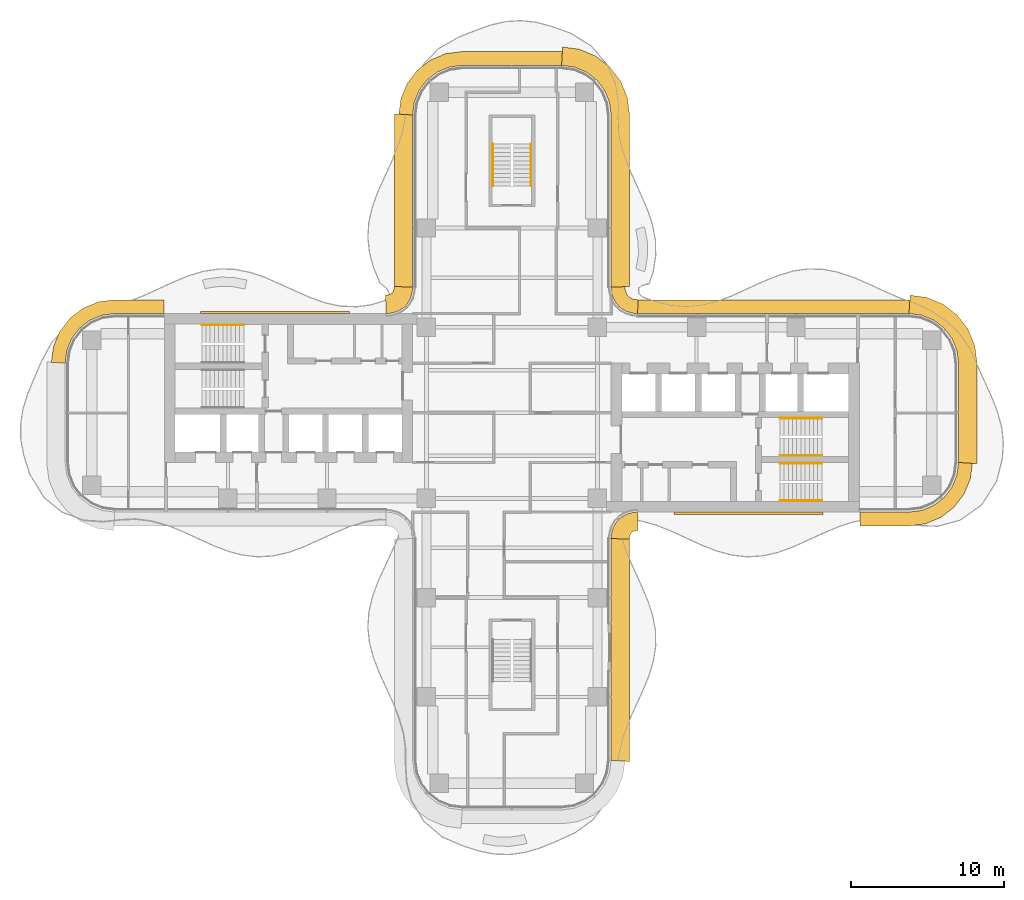
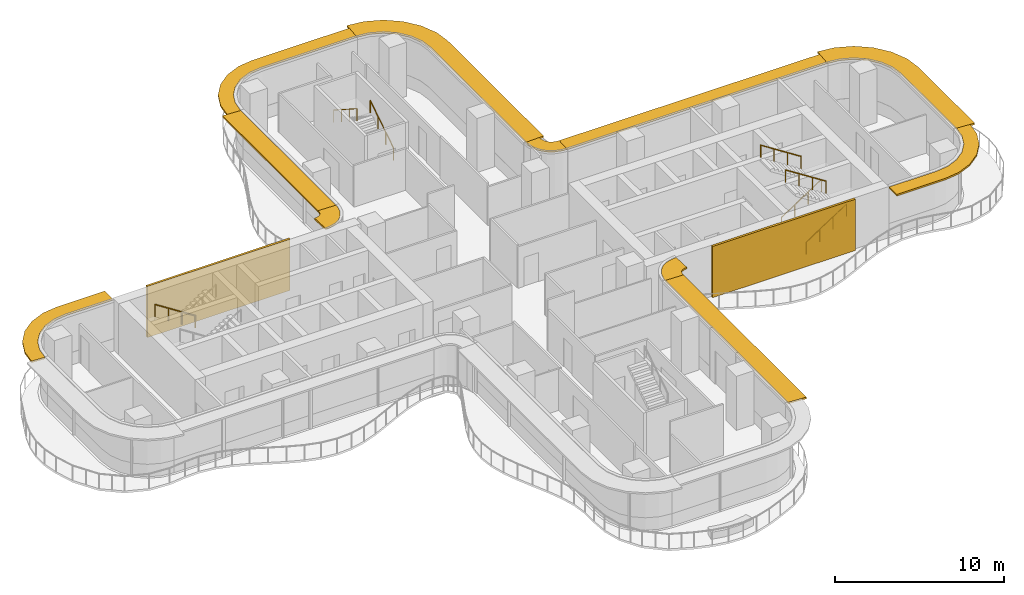
# One storey, part 18 of 18: 11 shading devices, 7 railings, 2 coverings.
"""IFC4 building model written with IfcOpenShell, lengths in metres."""

from ifc_helpers import new_model, si_unit, direction, frame, origin, origin_2d, place, context, subcontext, project, spatial, polyline, circle, outline, extrude, source, transform, mapped, material, layer, layer_set, type_object, element, save


model = new_model("IFC4")

# Units and contexts
model_context = context("Model", 3, precision=1e-05, world=origin(), true_north=direction((0.0, 1.0)))
body_context = subcontext(model_context, "Body", "Model", "MODEL_VIEW")
ifc_project = project(units=[si_unit("LENGTHUNIT", "METRE"), si_unit("AREAUNIT", "SQUARE_METRE"), si_unit("VOLUMEUNIT", "CUBIC_METRE"), si_unit("PLANEANGLEUNIT", "RADIAN"), si_unit("MASSUNIT", "GRAM", prefix="KILO")], contexts=[model_context])

# Site, building, storey
site_placement = place(None, origin())
site = spatial("IfcSite", under=ifc_project, at=site_placement, CompositionType="ELEMENT")
building_placement = place(site_placement, origin())
building = spatial("IfcBuilding", under=site, at=building_placement, Name="Trellis Farm Tower", CompositionType="ELEMENT")
storey_placement = place(building_placement, frame((0.0, 0.0, 189.300048828125)))
storey = spatial("IfcBuildingStorey", under=building, at=storey_placement, Name="L41", CompositionType="ELEMENT", Elevation=189.300048828125)

# Railings
ifc_material_1 = material(Name="Stainless steel", Category="steel")
railing_type = type_object("IfcRailingType", Name="STAIR HANDRAIL 900", PredefinedType="HANDRAIL", material=ifc_material_1)
shared_shape_1 = source(origin(), body_context, "Body", "SweptSolid", [
    extrude(circle(Radius=0.02392578125, at=origin_2d()), frame((0.0, 0.0, 0.8759765625), z_axis=(0.0, 0.840503830235, 0.541805602924), x_axis=(-1.0, 0.0, 0.0)), (0.0, 0.0, 1.0), 3.271728515625),
    extrude(circle(Radius=0.02099609375, at=origin_2d()), origin(), (0.0, 0.0, 1.0), 0.851806640625),
    extrude(circle(Radius=0.02099609375, at=origin_2d()), frame((0.0, 0.916748046875, 0.5908203125)), (0.0, 0.0, 1.0), 0.851806640625),
    extrude(circle(Radius=0.02099609375, at=origin_2d()), frame((0.0, 1.833251953125, 1.181884765625)), (0.0, 0.0, 1.0), 0.851806640625),
    extrude(circle(Radius=0.02099609375, at=origin_2d()), frame((0.0, 2.75, 1.772705078125)), (0.0, 0.0, 1.0), 0.851806640625),
])
railing_1_placement = place(storey_placement, frame((1.25, 14.85009765625, 0.17724609375)))
element("IfcRailing", 1, at=railing_1_placement, inside=storey, type_object=railing_type, Name="Stair handrail", PredefinedType="HANDRAIL", context=body_context, shape_type="MappedRepresentation", body=[
    mapped(shared_shape_1, transform((0.0, 0.0, 0.0))),
])
shared_shape_2 = source(origin(), body_context, "Body", "SweptSolid", [
    extrude(circle(Radius=0.02392578125, at=origin_2d()), frame((0.0, 0.0, 0.8759765625), z_axis=(0.0, -0.840503830235, 0.541805602924), x_axis=(1.0, 0.0, 0.0)), (0.0, 0.0, 1.0), 3.271728515625),
    extrude(circle(Radius=0.02099609375, at=origin_2d()), origin(), (0.0, 0.0, 1.0), 0.851806640625),
    extrude(circle(Radius=0.02099609375, at=origin_2d()), frame((0.0, -0.916748046875, 0.5908203125)), (0.0, 0.0, 1.0), 0.851806640625),
    extrude(circle(Radius=0.02099609375, at=origin_2d()), frame((0.0, -1.833251953125, 1.181884765625)), (0.0, 0.0, 1.0), 0.851806640625),
    extrude(circle(Radius=0.02099609375, at=origin_2d()), frame((0.0, -2.75, 1.772705078125)), (0.0, 0.0, 1.0), 0.851806640625),
])
railing_2_placement = place(storey_placement, frame((-1.25, 17.60009765625, 2.127197265625)))
element("IfcRailing", 2, at=railing_2_placement, inside=storey, type_object=railing_type, Name="Stair handrail", PredefinedType="HANDRAIL", context=body_context, shape_type="MappedRepresentation", body=[
    mapped(shared_shape_2, transform((0.0, 0.0, 0.0))),
])
shared_shape_3 = source(origin(), body_context, "Body", "SweptSolid", [
    extrude(circle(Radius=0.02392578125, at=origin_2d()), frame((0.0, 0.0, 0.8759765625), z_axis=(0.840503830235, 0.0, 0.541805602924), x_axis=(0.0, 1.0, 0.0)), (0.0, 0.0, 1.0), 3.271728515625),
    extrude(circle(Radius=0.02099609375, at=origin_2d()), origin(), (0.0, 0.0, 1.0), 0.851806640625),
    extrude(circle(Radius=0.02099609375, at=origin_2d()), frame((0.916748046875, 0.0, 0.5908203125)), (0.0, 0.0, 1.0), 0.851806640625),
    extrude(circle(Radius=0.02099609375, at=origin_2d()), frame((1.833251953125, 0.0, 1.181884765625)), (0.0, 0.0, 1.0), 0.851806640625),
    extrude(circle(Radius=0.02099609375, at=origin_2d()), frame((2.75, 0.0, 1.772705078125)), (0.0, 0.0, 1.0), 0.851806640625),
])
for number, where, name in (
    (3, (17.550048828125, -5.75, 0.17724609375), "Stair handrail"),
    (4, (17.550048828125, -2.800048828125, 0.17724609375), "Stair handrail"),
):
    element("IfcRailing", number, at=place(storey_placement, frame(where)), inside=storey, type_object=railing_type, Name=name, PredefinedType="HANDRAIL", context=body_context, shape_type="MappedRepresentation", body=[
        mapped(shared_shape_3, transform((0.0, 0.0, 0.0))),
    ])
shared_shape_4 = source(origin(), body_context, "Body", "SweptSolid", [
    extrude(circle(Radius=0.02392578125, at=origin_2d()), frame((0.0, 0.0, 0.8759765625), z_axis=(-0.840503830235, 0.0, 0.541805602924), x_axis=(0.0, -1.0, 0.0)), (0.0, 0.0, 1.0), 3.271728515625),
    extrude(circle(Radius=0.02099609375, at=origin_2d()), origin(), (0.0, 0.0, 1.0), 0.851806640625),
    extrude(circle(Radius=0.02099609375, at=origin_2d()), frame((-0.916748046875, 0.0, 0.5908203125)), (0.0, 0.0, 1.0), 0.851806640625),
    extrude(circle(Radius=0.02099609375, at=origin_2d()), frame((-1.833251953125, 0.0, 1.181884765625)), (0.0, 0.0, 1.0), 0.851806640625),
    extrude(circle(Radius=0.02099609375, at=origin_2d()), frame((-2.75, 0.0, 1.772705078125)), (0.0, 0.0, 1.0), 0.851806640625),
])
for number, where, name in (
    (5, (20.300048828125, -3.300048828125, 2.127197265625), "Stair handrail"),
    (6, (20.300048828125, -0.35009765625, 2.127197265625), "Stair handrail"),
    (7, (-17.550048828125, 5.75, 0.17724609375), "Stair handrail"),
):
    element("IfcRailing", number, at=place(storey_placement, frame(where)), inside=storey, type_object=railing_type, Name=name, PredefinedType="HANDRAIL", context=body_context, shape_type="MappedRepresentation", body=[
        mapped(shared_shape_4, transform((0.0, 0.0, 0.0))),
    ])

# Shading devices
ifc_material_2 = material(Name="Aluminium extrusion 6063-T6", Category="aluminium")
ifc_layer_1 = layer(ifc_material_2, 0.1201171875)
ifc_layer_set_1 = layer_set([ifc_layer_1], Name="SUNSHADE BLADE 1200")
shading_device_type_1 = type_object("IfcShadingDeviceType", Name="SUNSHADE BLADE 1200", PredefinedType="USERDEFINED", material=ifc_layer_set_1)
shared_shape_5 = source(origin(), body_context, "Body", "SweptSolid", [
    extrude(outline(polyline([(7.699951171875, -8.270751953125), (7.708740234375, -8.13720703125), (7.70703125, -8.150146484375), (7.7548828125, -7.9716796875), (7.80712890625, -7.881103515625), (7.881103515625, -7.80712890625), (7.9716796875, -7.7548828125), (8.150146484375, -7.70703125), (8.13720703125, -7.708740234375), (8.270751953125, -7.699951171875), (8.2314453125, -6.5), (8.01953125, -6.513916015625), (7.91552734375, -6.527587890625), (7.508544921875, -6.63671875), (7.144287109375, -6.846923828125), (6.846923828125, -7.144287109375), (6.63671875, -7.508544921875), (6.527587890625, -7.91552734375), (6.513916015625, -8.01953125), (6.5, -8.2314453125), (7.699951171875, -8.270751953125)])), origin(), (0.0, 0.0, 1.0), 0.119873046875),
])
placement_1 = place(storey_placement, frame((0.0, 0.0, 3.5400390625)))
element("IfcShadingDevice", 8, at=placement_1, inside=storey, type_object=shading_device_type_1, Name="SD2 006", ObjectType="SUNSHADE", PredefinedType="USERDEFINED", context=body_context, shape_type="MappedRepresentation", body=[
    mapped(shared_shape_5, transform((0.0, 0.0, 0.0))),
])
ifc_layer_2 = layer(ifc_material_2, 0.1201171875)
ifc_layer_set_2 = layer_set([ifc_layer_2], Name="SUNSHADE BLADE 900")
shading_device_type_2 = type_object("IfcShadingDeviceType", Name="SUNSHADE BLADE 900", PredefinedType="USERDEFINED", material=ifc_layer_set_2)
shared_shape_6 = source(origin(), body_context, "Body", "SweptSolid", [
    extrude(outline(polyline([(8.2607421875, 7.39990234375), (8.107666015625, 7.409912109375), (8.091552734375, 7.412109375), (7.85595703125, 7.475341796875), (7.697021484375, 7.567138671875), (7.567138671875, 7.697021484375), (7.475341796875, 7.85595703125), (7.412109375, 8.091552734375), (7.409912109375, 8.107666015625), (7.39990234375, 8.2607421875), (6.5, 8.2314453125), (6.513916015625, 8.01953125), (6.527587890625, 7.91552734375), (6.63671875, 7.508544921875), (6.846923828125, 7.144287109375), (7.144287109375, 6.846923828125), (7.508544921875, 6.63671875), (7.91552734375, 6.527587890625), (8.01953125, 6.513916015625), (8.2314453125, 6.5), (8.2607421875, 7.39990234375)])), origin(), (0.0, 0.0, 1.0), 0.119873046875),
])
element("IfcShadingDevice", 9, at=placement_1, inside=storey, type_object=shading_device_type_2, Name="SD1 010", ObjectType="SUNSHADE", PredefinedType="USERDEFINED", context=body_context, shape_type="MappedRepresentation", body=[
    mapped(shared_shape_6, transform((0.0, 0.0, 0.0))),
])
shared_shape_7 = source(origin(), body_context, "Body", "SweptSolid", [
    extrude(outline(polyline([(-7.699951171875, 8.270751953125), (-7.708740234375, 8.13720703125), (-7.70703125, 8.150146484375), (-7.7548828125, 7.9716796875), (-7.80712890625, 7.881103515625), (-7.881103515625, 7.80712890625), (-7.9716796875, 7.7548828125), (-8.150146484375, 7.70703125), (-8.13720703125, 7.708740234375), (-8.270751953125, 7.699951171875), (-8.2314453125, 6.5), (-8.01953125, 6.513916015625), (-7.91552734375, 6.527587890625), (-7.508544921875, 6.63671875), (-7.144287109375, 6.846923828125), (-6.846923828125, 7.144287109375), (-6.63671875, 7.508544921875), (-6.527587890625, 7.91552734375), (-6.513916015625, 8.01953125), (-6.5, 8.2314453125), (-7.699951171875, 8.270751953125)])), origin(), (0.0, 0.0, 1.0), 0.119873046875),
])
element("IfcShadingDevice", 10, at=placement_1, inside=storey, type_object=shading_device_type_1, Name="SD2 014", ObjectType="SUNSHADE", PredefinedType="USERDEFINED", context=body_context, shape_type="MappedRepresentation", body=[
    mapped(shared_shape_7, transform((0.0, 0.0, 0.0))),
])
shared_shape_8 = source(origin(), body_context, "Body", "SweptSolid", [
    extrude(outline(polyline([(22.780029296875, -7.39990234375), (26.05908203125, -7.39990234375), (27.076171875, -7.26611328125), (28.078857421875, -6.850830078125), (28.93994140625, -6.18994140625), (29.600830078125, -5.328857421875), (30.01611328125, -4.326171875), (30.14990234375, -3.30908203125), (29.25, -3.25), (29.13916015625, -4.091064453125), (28.814697265625, -4.875), (28.298095703125, -5.548095703125), (27.625, -6.064697265625), (26.841064453125, -6.38916015625), (26.0, -6.5), (22.780029296875, -6.5), (22.780029296875, -7.39990234375)])), origin(), (0.0, 0.0, 1.0), 0.119873046875),
])
element("IfcShadingDevice", 11, at=placement_1, inside=storey, type_object=shading_device_type_2, Name="SD1 007", ObjectType="SUNSHADE", PredefinedType="USERDEFINED", context=body_context, shape_type="MappedRepresentation", body=[
    mapped(shared_shape_8, transform((0.0, 0.0, 0.0))),
])
shared_shape_9 = source(origin(), body_context, "Body", "SweptSolid", [
    extrude(outline(polyline([(30.449951171875, -3.32861328125), (30.449951171875, 3.32861328125), (30.308349609375, 4.404541015625), (29.86279296875, 5.480224609375), (29.154052734375, 6.404052734375), (28.230224609375, 7.11279296875), (27.154541015625, 7.558349609375), (26.07861328125, 7.699951171875), (26.0, 6.5), (26.841064453125, 6.38916015625), (27.625, 6.064697265625), (28.298095703125, 5.548095703125), (28.814697265625, 4.875), (29.13916015625, 4.091064453125), (29.25, 3.25), (29.25, -3.25), (30.449951171875, -3.32861328125)])), origin(), (0.0, 0.0, 1.0), 0.119873046875),
])
element("IfcShadingDevice", 12, at=placement_1, inside=storey, type_object=shading_device_type_1, Name="SD2 008", ObjectType="SUNSHADE", PredefinedType="USERDEFINED", context=body_context, shape_type="MappedRepresentation", body=[
    mapped(shared_shape_9, transform((0.0, 0.0, 0.0))),
])
shared_shape_10 = source(origin(), body_context, "Body", "SweptSolid", [
    extrude(outline(polyline([(26.05908203125, 7.39990234375), (8.2607421875, 7.39990234375), (8.2314453125, 6.5), (26.0, 6.5), (26.05908203125, 7.39990234375)])), origin(), (0.0, 0.0, 1.0), 0.119873046875),
])
element("IfcShadingDevice", 13, at=placement_1, inside=storey, type_object=shading_device_type_2, Name="SD1 009", ObjectType="SUNSHADE", PredefinedType="USERDEFINED", context=body_context, shape_type="MappedRepresentation", body=[
    mapped(shared_shape_10, transform((0.0, 0.0, 0.0))),
])
shared_shape_11 = source(origin(), body_context, "Body", "SweptSolid", [
    extrude(outline(polyline([(7.699951171875, -22.82861328125), (7.699951171875, -8.270751953125), (6.5, -8.2314453125), (6.5, -22.75), (7.699951171875, -22.82861328125)])), origin(), (0.0, 0.0, 1.0), 0.119873046875),
])
element("IfcShadingDevice", 14, at=placement_1, inside=storey, type_object=shading_device_type_1, Name="SD2 005", ObjectType="SUNSHADE", PredefinedType="USERDEFINED", context=body_context, shape_type="MappedRepresentation", body=[
    mapped(shared_shape_11, transform((0.0, 0.0, 0.0))),
])
shared_shape_12 = source(origin(), body_context, "Body", "SweptSolid", [
    extrude(outline(polyline([(-22.780029296875, 7.39990234375), (-26.05908203125, 7.39990234375), (-27.076171875, 7.26611328125), (-28.078857421875, 6.850830078125), (-28.93994140625, 6.18994140625), (-29.600830078125, 5.328857421875), (-30.01611328125, 4.326171875), (-30.14990234375, 3.30908203125), (-29.25, 3.25), (-29.13916015625, 4.091064453125), (-28.814697265625, 4.875), (-28.298095703125, 5.548095703125), (-27.625, 6.064697265625), (-26.841064453125, 6.38916015625), (-26.0, 6.5), (-22.780029296875, 6.5), (-22.780029296875, 7.39990234375)])), origin(), (0.0, 0.0, 1.0), 0.119873046875),
])
element("IfcShadingDevice", 15, at=placement_1, inside=storey, type_object=shading_device_type_2, Name="SD1 015", ObjectType="SUNSHADE", PredefinedType="USERDEFINED", context=body_context, shape_type="MappedRepresentation", body=[
    mapped(shared_shape_12, transform((0.0, 0.0, 0.0))),
])

# Coverings
ifc_material_3 = material(Name="Perforated precast screen (cobogo)", Category="concrete")
ifc_layer_3 = layer(ifc_material_3, 0.14990234375)
ifc_layer_set_3 = layer_set([ifc_layer_3], Name="COBOGO SCREEN PANEL")
covering_type = type_object("IfcCoveringType", Name="COBOGO SCREEN PANEL", PredefinedType="USERDEFINED", material=ifc_layer_set_3)
shared_shape_13 = source(origin(), body_context, "Body", "SweptSolid", [
    extrude(outline(polyline([(10.630615234375, -6.64990234375), (20.380615234375, -6.64990234375), (20.380615234375, -6.5), (10.630615234375, -6.5), (10.630615234375, -6.64990234375)])), origin(), (0.0, 0.0, 1.0), 3.699951171875),
])
placement_2 = place(storey_placement, origin())
element("IfcCovering", 16, at=placement_2, inside=storey, type_object=covering_type, Name="SC1 01", ObjectType="SCREEN", PredefinedType="USERDEFINED", context=body_context, shape_type="MappedRepresentation", body=[
    mapped(shared_shape_13, transform((0.0, 0.0, 0.0))),
])
shared_shape_14 = source(origin(), body_context, "Body", "SweptSolid", [
    extrude(outline(polyline([(-10.630615234375, 6.64990234375), (-20.380615234375, 6.64990234375), (-20.380615234375, 6.5), (-10.630615234375, 6.5), (-10.630615234375, 6.64990234375)])), origin(), (0.0, 0.0, 1.0), 3.699951171875),
])
element("IfcCovering", 17, at=placement_2, inside=storey, type_object=covering_type, Name="SC1 02", ObjectType="SCREEN", PredefinedType="USERDEFINED", context=body_context, shape_type="MappedRepresentation", body=[
    mapped(shared_shape_14, transform((0.0, 0.0, 0.0))),
])

# Shading devices
shared_shape_15 = source(origin(), body_context, "Body", "SweptSolid", [
    extrude(outline(polyline([(7.699951171875, 8.270751953125), (7.699951171875, 19.57861328125), (7.558349609375, 20.654541015625), (7.11279296875, 21.730224609375), (6.404052734375, 22.654052734375), (5.480224609375, 23.36279296875), (4.404541015625, 23.808349609375), (3.32861328125, 23.949951171875), (3.25, 22.75), (4.091064453125, 22.63916015625), (4.875, 22.314697265625), (5.548095703125, 21.798095703125), (6.064697265625, 21.125), (6.38916015625, 20.341064453125), (6.5, 19.5), (6.5, 8.2314453125), (7.699951171875, 8.270751953125)])), origin(), (0.0, 0.0, 1.0), 0.119873046875),
])
element("IfcShadingDevice", 18, at=placement_1, inside=storey, type_object=shading_device_type_1, Name="SD2 011", ObjectType="SUNSHADE", PredefinedType="USERDEFINED", context=body_context, shape_type="MappedRepresentation", body=[
    mapped(shared_shape_15, transform((0.0, 0.0, 0.0))),
])
shared_shape_16 = source(origin(), body_context, "Body", "SweptSolid", [
    extrude(outline(polyline([(3.30908203125, 23.64990234375), (-3.30908203125, 23.64990234375), (-4.326171875, 23.51611328125), (-5.328857421875, 23.100830078125), (-6.18994140625, 22.43994140625), (-6.850830078125, 21.578857421875), (-7.26611328125, 20.576171875), (-7.39990234375, 19.55908203125), (-6.5, 19.5), (-6.38916015625, 20.341064453125), (-6.064697265625, 21.125), (-5.548095703125, 21.798095703125), (-4.875, 22.314697265625), (-4.091064453125, 22.63916015625), (-3.25, 22.75), (3.25, 22.75), (3.30908203125, 23.64990234375)])), origin(), (0.0, 0.0, 1.0), 0.119873046875),
])
element("IfcShadingDevice", 19, at=placement_1, inside=storey, type_object=shading_device_type_2, Name="SD1 012", ObjectType="SUNSHADE", PredefinedType="USERDEFINED", context=body_context, shape_type="MappedRepresentation", body=[
    mapped(shared_shape_16, transform((0.0, 0.0, 0.0))),
])
shared_shape_17 = source(origin(), body_context, "Body", "SweptSolid", [
    extrude(outline(polyline([(-7.699951171875, 19.57861328125), (-7.699951171875, 8.270751953125), (-6.5, 8.2314453125), (-6.5, 19.5), (-7.699951171875, 19.57861328125)])), origin(), (0.0, 0.0, 1.0), 0.119873046875),
])
element("IfcShadingDevice", 20, at=placement_1, inside=storey, type_object=shading_device_type_1, Name="SD2 013", ObjectType="SUNSHADE", PredefinedType="USERDEFINED", context=body_context, shape_type="MappedRepresentation", body=[
    mapped(shared_shape_17, transform((0.0, 0.0, 0.0))),
])

save(model, "model.ifc")
